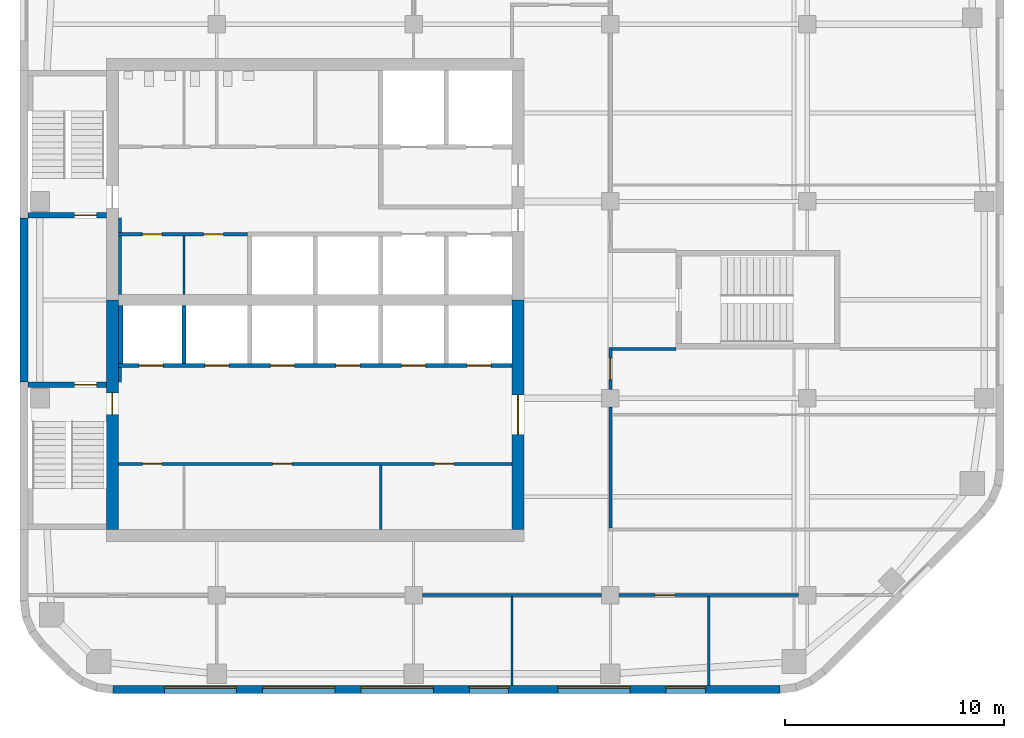
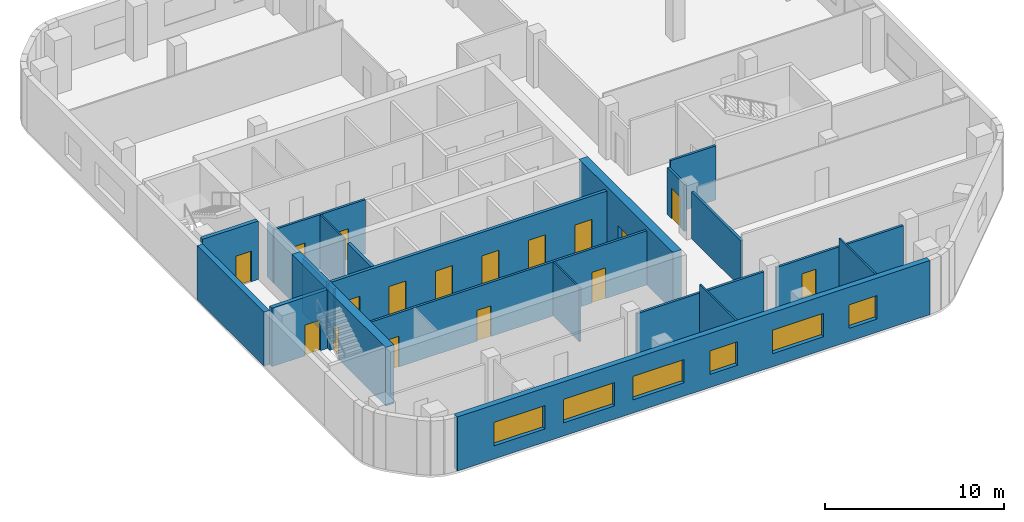
# One storey, part 3 of 8: 23 walls, 17 doors, 6 windows, 23 openings.
"""IFC4 building model written with IfcOpenShell, lengths in metres."""

from ifc_helpers import new_model, si_unit, direction, frame, frame_2d, origin, place, context, subcontext, project, spatial, rectangle, extrude, material, layer, layer_set, type_object, element, fill, save


model = new_model("IFC4")

# Units and contexts
model_context = context("Model", 3, precision=1e-05, world=origin(), true_north=direction((0.0, 1.0)))
body_context = subcontext(model_context, "Body", "Model", "MODEL_VIEW")
ifc_project = project(units=[si_unit("LENGTHUNIT", "METRE"), si_unit("AREAUNIT", "SQUARE_METRE"), si_unit("VOLUMEUNIT", "CUBIC_METRE"), si_unit("PLANEANGLEUNIT", "RADIAN"), si_unit("MASSUNIT", "GRAM", prefix="KILO")], contexts=[model_context])

# Site, building, storey
site_placement = place(None, origin())
site = spatial("IfcSite", under=ifc_project, at=site_placement, CompositionType="ELEMENT")
building_placement = place(site_placement, origin())
building = spatial("IfcBuilding", under=site, at=building_placement, Name="Cinnabar Reach Civic Tower", CompositionType="ELEMENT")
storey_placement = place(building_placement, frame((0.0, 0.0, 238.0)))
storey = spatial("IfcBuildingStorey", under=building, at=storey_placement, Name="L57", CompositionType="ELEMENT", Elevation=238.0)

# Wall, openings, windows
ifc_material_1 = material(Name="Facing brick with insulated backing", Category="masonry")
ifc_layer_1 = layer(ifc_material_1, 0.36)
ifc_layer_set_1 = layer_set([ifc_layer_1], Name="Brick pier and spandrel wall")
wall_type_1 = type_object("IfcWallType", Name="Brick pier and spandrel wall", PredefinedType="STANDARD", material=ifc_layer_set_1)
wall_1_placement = place(storey_placement, frame((4.2426, 13.68, 0.0), z_axis=(0.0, 0.0, 1.0), x_axis=(1.0, 0.0, 0.0)))
wall_1 = element("IfcWall", 1, at=wall_1_placement, inside=storey, type_object=wall_type_1, Name="Brick facade wall", PredefinedType="STANDARD", context=body_context, shape_type="SweptSolid", body=[
    extrude(rectangle(XDim=30.5148, YDim=0.36, at=frame_2d((15.2574, 0.0))), origin(), (0.0, 0.0, 1.0), 3.7),
])
opening_1_placement = place(wall_1_placement, frame((2.3574, 0.0, 0.9)))
opening_1 = element("IfcOpeningElement", 2, at=opening_1_placement, cuts=wall_1, Name="Opening W2160", PredefinedType="OPENING", context=body_context, shape_type="SweptSolid", body=[
    extrude(rectangle(XDim=3.3, YDim=1.6, at=frame_2d((1.65, 0.8))), frame((0.0, 0.19, 0.0), z_axis=(0.0, -1.0, 0.0), x_axis=(1.0, 0.0, 0.0)), (0.0, 0.0, 1.0), 0.38),
])
opening_2_placement = place(wall_1_placement, frame((6.8574, 0.0, 0.9)))
opening_2 = element("IfcOpeningElement", 3, at=opening_2_placement, cuts=wall_1, Name="Opening W2161", PredefinedType="OPENING", context=body_context, shape_type="SweptSolid", body=[
    extrude(rectangle(XDim=3.3, YDim=1.6, at=frame_2d((1.65, 0.8))), frame((0.0, 0.19, 0.0), z_axis=(0.0, -1.0, 0.0), x_axis=(1.0, 0.0, 0.0)), (0.0, 0.0, 1.0), 0.38),
])
opening_3_placement = place(wall_1_placement, frame((11.3574, 0.0, 0.9)))
opening_3 = element("IfcOpeningElement", 4, at=opening_3_placement, cuts=wall_1, Name="Opening W2162", PredefinedType="OPENING", context=body_context, shape_type="SweptSolid", body=[
    extrude(rectangle(XDim=3.3, YDim=1.6, at=frame_2d((1.65, 0.8))), frame((0.0, 0.19, 0.0), z_axis=(0.0, -1.0, 0.0), x_axis=(1.0, 0.0, 0.0)), (0.0, 0.0, 1.0), 0.38),
])
opening_4_placement = place(wall_1_placement, frame((16.3074, 0.0, 0.9)))
opening_4 = element("IfcOpeningElement", 5, at=opening_4_placement, cuts=wall_1, Name="Opening W2163", PredefinedType="OPENING", context=body_context, shape_type="SweptSolid", body=[
    extrude(rectangle(XDim=1.8, YDim=1.6, at=frame_2d((0.9, 0.8))), frame((0.0, 0.19, 0.0), z_axis=(0.0, -1.0, 0.0), x_axis=(1.0, 0.0, 0.0)), (0.0, 0.0, 1.0), 0.38),
])
opening_5_placement = place(wall_1_placement, frame((20.3574, 0.0, 0.9)))
opening_5 = element("IfcOpeningElement", 6, at=opening_5_placement, cuts=wall_1, Name="Opening W2164", PredefinedType="OPENING", context=body_context, shape_type="SweptSolid", body=[
    extrude(rectangle(XDim=3.3, YDim=1.6, at=frame_2d((1.65, 0.8))), frame((0.0, 0.19, 0.0), z_axis=(0.0, -1.0, 0.0), x_axis=(1.0, 0.0, 0.0)), (0.0, 0.0, 1.0), 0.38),
])
opening_6_placement = place(wall_1_placement, frame((25.3074, 0.0, 0.9)))
opening_6 = element("IfcOpeningElement", 7, at=opening_6_placement, cuts=wall_1, Name="Opening W2165", PredefinedType="OPENING", context=body_context, shape_type="SweptSolid", body=[
    extrude(rectangle(XDim=1.8, YDim=1.6, at=frame_2d((0.9, 0.8))), frame((0.0, 0.19, 0.0), z_axis=(0.0, -1.0, 0.0), x_axis=(1.0, 0.0, 0.0)), (0.0, 0.0, 1.0), 0.38),
])
ifc_material_2 = material(Name="Clear double glazing in aluminium frame", Category="aluminium")
window_type_1 = type_object("IfcWindowType", Name="Deep-set window A", PartitioningType="SINGLE_PANEL", PredefinedType="WINDOW", material=ifc_material_2)
window_1_placement = place(opening_1_placement, origin())
window_1 = element("IfcWindow", 8, at=window_1_placement, inside=storey, type_object=window_type_1, Name="Window south face", OverallHeight=1.6, OverallWidth=3.3, PartitioningType="SINGLE_PANEL", PredefinedType="WINDOW", context=body_context, shape_type="SweptSolid", body=[
    extrude(rectangle(XDim=3.3, YDim=1.6, at=frame_2d((1.65, 0.8))), frame((0.0, 0.13, 0.0), z_axis=(0.0, -1.0, 0.0), x_axis=(1.0, 0.0, 0.0)), (0.0, 0.0, 1.0), 0.06),
])
fill(opening_1, window_1)
window_2_placement = place(opening_2_placement, origin())
window_2 = element("IfcWindow", 9, at=window_2_placement, inside=storey, type_object=window_type_1, Name="Window south face", OverallHeight=1.6, OverallWidth=3.3, PartitioningType="SINGLE_PANEL", PredefinedType="WINDOW", context=body_context, shape_type="SweptSolid", body=[
    extrude(rectangle(XDim=3.3, YDim=1.6, at=frame_2d((1.65, 0.8))), frame((0.0, 0.13, 0.0), z_axis=(0.0, -1.0, 0.0), x_axis=(1.0, 0.0, 0.0)), (0.0, 0.0, 1.0), 0.06),
])
fill(opening_2, window_2)
window_3_placement = place(opening_3_placement, origin())
window_3 = element("IfcWindow", 10, at=window_3_placement, inside=storey, type_object=window_type_1, Name="Window south face", OverallHeight=1.6, OverallWidth=3.3, PartitioningType="SINGLE_PANEL", PredefinedType="WINDOW", context=body_context, shape_type="SweptSolid", body=[
    extrude(rectangle(XDim=3.3, YDim=1.6, at=frame_2d((1.65, 0.8))), frame((0.0, 0.13, 0.0), z_axis=(0.0, -1.0, 0.0), x_axis=(1.0, 0.0, 0.0)), (0.0, 0.0, 1.0), 0.06),
])
fill(opening_3, window_3)
window_4_placement = place(opening_5_placement, origin())
window_4 = element("IfcWindow", 11, at=window_4_placement, inside=storey, type_object=window_type_1, Name="Window south face", OverallHeight=1.6, OverallWidth=3.3, PartitioningType="SINGLE_PANEL", PredefinedType="WINDOW", context=body_context, shape_type="SweptSolid", body=[
    extrude(rectangle(XDim=3.3, YDim=1.6, at=frame_2d((1.65, 0.8))), frame((0.0, 0.13, 0.0), z_axis=(0.0, -1.0, 0.0), x_axis=(1.0, 0.0, 0.0)), (0.0, 0.0, 1.0), 0.06),
])
fill(opening_5, window_4)
window_type_2 = type_object("IfcWindowType", Name="Deep-set window D", PartitioningType="SINGLE_PANEL", PredefinedType="WINDOW", material=ifc_material_2)
window_5_placement = place(opening_4_placement, origin())
window_5 = element("IfcWindow", 12, at=window_5_placement, inside=storey, type_object=window_type_2, Name="Window south face", OverallHeight=1.6, OverallWidth=1.8, PartitioningType="SINGLE_PANEL", PredefinedType="WINDOW", context=body_context, shape_type="SweptSolid", body=[
    extrude(rectangle(XDim=1.8, YDim=1.6, at=frame_2d((0.9, 0.8))), frame((0.0, 0.13, 0.0), z_axis=(0.0, -1.0, 0.0), x_axis=(1.0, 0.0, 0.0)), (0.0, 0.0, 1.0), 0.06),
])
fill(opening_4, window_5)
window_6_placement = place(opening_6_placement, origin())
window_6 = element("IfcWindow", 13, at=window_6_placement, inside=storey, type_object=window_type_2, Name="Window south face", OverallHeight=1.6, OverallWidth=1.8, PartitioningType="SINGLE_PANEL", PredefinedType="WINDOW", context=body_context, shape_type="SweptSolid", body=[
    extrude(rectangle(XDim=1.8, YDim=1.6, at=frame_2d((0.9, 0.8))), frame((0.0, 0.13, 0.0), z_axis=(0.0, -1.0, 0.0), x_axis=(1.0, 0.0, 0.0)), (0.0, 0.0, 1.0), 0.06),
])
fill(opening_6, window_6)

# Wall
wall_2_placement = place(storey_placement, frame((0.18, 35.25, 0.0), z_axis=(0.0, 0.0, 1.0), x_axis=(0.0, -1.0, 0.0)))
element("IfcWall", 14, at=wall_2_placement, inside=storey, type_object=wall_type_1, Name="Brick facade wall", PredefinedType="STANDARD", context=body_context, shape_type="SweptSolid", body=[
    extrude(rectangle(XDim=7.5, YDim=0.36, at=frame_2d((3.75, 0.0))), origin(), (0.0, 0.0, 1.0), 3.7),
])

# Wall, opening, door
ifc_material_3 = material(Name="Concrete C60", Category="concrete")
ifc_layer_2 = layer(ifc_material_3, 0.55)
ifc_layer_set_2 = layer_set([ifc_layer_2], Name="Core wall 550 EI 180")
wall_type_2 = type_object("IfcWallType", Name="Core wall 550 EI 180", PredefinedType="SOLIDWALL", material=ifc_layer_set_2)
wall_3_placement = place(storey_placement, frame((22.775, 21.0, 0.0), z_axis=(0.0, 0.0, 1.0), x_axis=(0.0, 1.0, 0.0)))
wall_3 = element("IfcWall", 15, at=wall_3_placement, inside=storey, type_object=wall_type_2, Name="Core wall T1 L57 E", PredefinedType="SOLIDWALL", context=body_context, shape_type="SweptSolid", body=[
    extrude(rectangle(XDim=10.5, YDim=0.55, at=frame_2d((5.25, 0.0))), origin(), (0.0, 0.0, 1.0), 4.0),
])
opening_7_placement = place(wall_3_placement, frame((4.35, 0.0, 0.0)))
opening_7 = element("IfcOpeningElement", 16, at=opening_7_placement, cuts=wall_3, Name="Opening D5313", PredefinedType="OPENING", context=body_context, shape_type="SweptSolid", body=[
    extrude(rectangle(XDim=1.8, YDim=2.1, at=frame_2d((0.9, 1.05))), frame((0.0, 0.285, 0.0), z_axis=(0.0, -1.0, 0.0), x_axis=(1.0, 0.0, 0.0)), (0.0, 0.0, 1.0), 0.57),
])
ifc_material_4 = material(Name="Timber door leaf in steel frame", Category="steel")
door_type_1 = type_object("IfcDoorType", Name="Double swing door 1800 x 2100 T1", OperationType="DOUBLE_DOOR_DOUBLE_SWING", PredefinedType="DOOR", material=ifc_material_4)
door_1_placement = place(opening_7_placement, origin())
door_1 = element("IfcDoor", 17, at=door_1_placement, inside=storey, type_object=door_type_1, Name="Door D5313", OperationType="DOUBLE_DOOR_DOUBLE_SWING", OverallHeight=2.1, OverallWidth=1.8, PredefinedType="DOOR", context=body_context, shape_type="SweptSolid", body=[
    extrude(rectangle(XDim=1.8, YDim=2.1, at=frame_2d((0.9, 1.05))), frame((0.0, 0.025, 0.0), z_axis=(0.0, -1.0, 0.0), x_axis=(1.0, 0.0, 0.0)), (0.0, 0.0, 1.0), 0.05),
])
fill(opening_7, door_1)

wall_4_placement = place(storey_placement, frame((4.225, 31.5, 0.0), z_axis=(0.0, 0.0, 1.0), x_axis=(0.0, -1.0, 0.0)))
wall_4 = element("IfcWall", 18, at=wall_4_placement, inside=storey, type_object=wall_type_2, Name="Core wall T1 L57 W2", PredefinedType="SOLIDWALL", context=body_context, shape_type="SweptSolid", body=[
    extrude(rectangle(XDim=10.5, YDim=0.55, at=frame_2d((5.25, 0.0))), origin(), (0.0, 0.0, 1.0), 4.0),
])
opening_8_placement = place(wall_4_placement, frame((4.25, 0.0, 0.0)))
opening_8 = element("IfcOpeningElement", 19, at=opening_8_placement, cuts=wall_4, Name="Opening D5299", PredefinedType="OPENING", context=body_context, shape_type="SweptSolid", body=[
    extrude(rectangle(XDim=1.0, YDim=2.1, at=frame_2d((0.5, 1.05))), frame((0.0, 0.285, 0.0), z_axis=(0.0, -1.0, 0.0), x_axis=(1.0, 0.0, 0.0)), (0.0, 0.0, 1.0), 0.57),
])
door_type_2 = type_object("IfcDoorType", Name="Stair door 1000 x 2100 T1", OperationType="SINGLE_SWING_LEFT", PredefinedType="DOOR", material=ifc_material_4)
door_2_placement = place(opening_8_placement, frame((1.0, 0.0, 0.0), z_axis=(0.0, 0.0, 1.0), x_axis=(-1.0, 0.0, 0.0)))
door_2 = element("IfcDoor", 20, at=door_2_placement, inside=storey, type_object=door_type_2, Name="Door D5299", OperationType="SINGLE_SWING_RIGHT", OverallHeight=2.1, OverallWidth=1.0, PredefinedType="DOOR", context=body_context, shape_type="SweptSolid", body=[
    extrude(rectangle(XDim=1.0, YDim=2.1, at=frame_2d((0.5, 1.05))), frame((0.0, 0.025, 0.0), z_axis=(0.0, -1.0, 0.0), x_axis=(1.0, 0.0, 0.0)), (0.0, 0.0, 1.0), 0.05),
])
fill(opening_8, door_2)

ifc_material_5 = material(Name="Gypsum board on steel studs, double layer", Category="steel")
ifc_layer_3 = layer(ifc_material_5, 0.15)
ifc_layer_set_3 = layer_set([ifc_layer_3], Name="Corridor wall 150 T1")
wall_type_3 = type_object("IfcWallType", Name="Corridor wall 150 T1", PredefinedType="PARTITIONING", material=ifc_layer_set_3)
wall_5_placement = place(storey_placement, frame((27.4, 18.0, 0.0), z_axis=(0.0, 0.0, 1.0), x_axis=(1.0, 0.0, 0.0)))
wall_5 = element("IfcWall", 21, at=wall_5_placement, inside=storey, type_object=wall_type_3, Name="Corridor wall 19", PredefinedType="PARTITIONING", context=body_context, shape_type="SweptSolid", body=[
    extrude(rectangle(XDim=8.2, YDim=0.15, at=frame_2d((4.1, 0.0))), origin(), (0.0, 0.0, 1.0), 3.104),
])
opening_9_placement = place(wall_5_placement, frame((1.65, 0.0, 0.0)))
opening_9 = element("IfcOpeningElement", 22, at=opening_9_placement, cuts=wall_5, Name="Opening D5332", PredefinedType="OPENING", context=body_context, shape_type="SweptSolid", body=[
    extrude(rectangle(XDim=0.9, YDim=2.1, at=frame_2d((0.45, 1.05))), frame((0.0, 0.085, 0.0), z_axis=(0.0, -1.0, 0.0), x_axis=(1.0, 0.0, 0.0)), (0.0, 0.0, 1.0), 0.17),
])
door_type_3 = type_object("IfcDoorType", Name="Single swing door 900 x 2100 corridor T1", OperationType="SINGLE_SWING_LEFT", PredefinedType="DOOR", material=ifc_material_4)
door_3_placement = place(opening_9_placement, frame((0.9, 0.0, 0.0), z_axis=(0.0, 0.0, 1.0), x_axis=(-1.0, 0.0, 0.0)))
door_3 = element("IfcDoor", 23, at=door_3_placement, inside=storey, type_object=door_type_3, Name="Door D5332", OperationType="SINGLE_SWING_LEFT", OverallHeight=2.1, OverallWidth=0.9, PredefinedType="DOOR", context=body_context, shape_type="SweptSolid", body=[
    extrude(rectangle(XDim=0.9, YDim=2.1, at=frame_2d((0.45, 1.05))), frame((0.0, 0.025, 0.0), z_axis=(0.0, -1.0, 0.0), x_axis=(1.0, 0.0, 0.0)), (0.0, 0.0, 1.0), 0.05),
])
fill(opening_9, door_3)

# Wall
wall_6_placement = place(storey_placement, frame((18.4, 18.0, 0.0), z_axis=(0.0, 0.0, 1.0), x_axis=(1.0, 0.0, 0.0)))
element("IfcWall", 24, at=wall_6_placement, inside=storey, type_object=wall_type_3, Name="Corridor wall 20", PredefinedType="PARTITIONING", context=body_context, shape_type="SweptSolid", body=[
    extrude(rectangle(XDim=8.2, YDim=0.15, at=frame_2d((4.1, 0.0))), origin(), (0.0, 0.0, 1.0), 3.104),
])

# Wall, openings, doors
wall_7_placement = place(storey_placement, frame((4.5, 24.0, 0.0), z_axis=(0.0, 0.0, 1.0), x_axis=(1.0, 0.0, 0.0)))
wall_7 = element("IfcWall", 25, at=wall_7_placement, inside=storey, type_object=wall_type_3, Name="Corridor wall 23", PredefinedType="PARTITIONING", context=body_context, shape_type="SweptSolid", body=[
    extrude(rectangle(XDim=18.0, YDim=0.15, at=frame_2d((9.0, 0.0))), origin(), (0.0, 0.0, 1.0), 3.7),
])
opening_10_placement = place(wall_7_placement, frame((1.1, 0.0, 0.0)))
opening_10 = element("IfcOpeningElement", 26, at=opening_10_placement, cuts=wall_7, Name="Opening D5317", PredefinedType="OPENING", context=body_context, shape_type="SweptSolid", body=[
    extrude(rectangle(XDim=0.9, YDim=2.1, at=frame_2d((0.45, 1.05))), frame((0.0, 0.085, 0.0), z_axis=(0.0, -1.0, 0.0), x_axis=(1.0, 0.0, 0.0)), (0.0, 0.0, 1.0), 0.17),
])
opening_11_placement = place(wall_7_placement, frame((7.05, 0.0, 0.0)))
opening_11 = element("IfcOpeningElement", 27, at=opening_11_placement, cuts=wall_7, Name="Opening D5318", PredefinedType="OPENING", context=body_context, shape_type="SweptSolid", body=[
    extrude(rectangle(XDim=0.9, YDim=2.1, at=frame_2d((0.45, 1.05))), frame((0.0, 0.085, 0.0), z_axis=(0.0, -1.0, 0.0), x_axis=(1.0, 0.0, 0.0)), (0.0, 0.0, 1.0), 0.17),
])
opening_12_placement = place(wall_7_placement, frame((14.45, 0.0, 0.0)))
opening_12 = element("IfcOpeningElement", 28, at=opening_12_placement, cuts=wall_7, Name="Opening D5319", PredefinedType="OPENING", context=body_context, shape_type="SweptSolid", body=[
    extrude(rectangle(XDim=0.9, YDim=2.1, at=frame_2d((0.45, 1.05))), frame((0.0, 0.085, 0.0), z_axis=(0.0, -1.0, 0.0), x_axis=(1.0, 0.0, 0.0)), (0.0, 0.0, 1.0), 0.17),
])
door_4_placement = place(opening_10_placement, frame((0.9, 0.0, 0.0), z_axis=(0.0, 0.0, 1.0), x_axis=(-1.0, 0.0, 0.0)))
door_4 = element("IfcDoor", 29, at=door_4_placement, inside=storey, type_object=door_type_3, Name="Door D5317", OperationType="SINGLE_SWING_RIGHT", OverallHeight=2.1, OverallWidth=0.9, PredefinedType="DOOR", context=body_context, shape_type="SweptSolid", body=[
    extrude(rectangle(XDim=0.9, YDim=2.1, at=frame_2d((0.45, 1.05))), frame((0.0, 0.025, 0.0), z_axis=(0.0, -1.0, 0.0), x_axis=(1.0, 0.0, 0.0)), (0.0, 0.0, 1.0), 0.05),
])
fill(opening_10, door_4)
door_5_placement = place(opening_11_placement, frame((0.9, 0.0, 0.0), z_axis=(0.0, 0.0, 1.0), x_axis=(-1.0, 0.0, 0.0)))
door_5 = element("IfcDoor", 30, at=door_5_placement, inside=storey, type_object=door_type_3, Name="Door D5318", OperationType="SINGLE_SWING_RIGHT", OverallHeight=2.1, OverallWidth=0.9, PredefinedType="DOOR", context=body_context, shape_type="SweptSolid", body=[
    extrude(rectangle(XDim=0.9, YDim=2.1, at=frame_2d((0.45, 1.05))), frame((0.0, 0.025, 0.0), z_axis=(0.0, -1.0, 0.0), x_axis=(1.0, 0.0, 0.0)), (0.0, 0.0, 1.0), 0.05),
])
fill(opening_11, door_5)
door_6_placement = place(opening_12_placement, frame((0.9, 0.0, 0.0), z_axis=(0.0, 0.0, 1.0), x_axis=(-1.0, 0.0, 0.0)))
door_6 = element("IfcDoor", 31, at=door_6_placement, inside=storey, type_object=door_type_3, Name="Door D5319", OperationType="SINGLE_SWING_RIGHT", OverallHeight=2.1, OverallWidth=0.9, PredefinedType="DOOR", context=body_context, shape_type="SweptSolid", body=[
    extrude(rectangle(XDim=0.9, YDim=2.1, at=frame_2d((0.45, 1.05))), frame((0.0, 0.025, 0.0), z_axis=(0.0, -1.0, 0.0), x_axis=(1.0, 0.0, 0.0)), (0.0, 0.0, 1.0), 0.05),
])
fill(opening_12, door_6)

# Wall
wall_8_placement = place(storey_placement, frame((27.0, 21.075, 0.0), z_axis=(0.0, 0.0, 1.0), x_axis=(0.0, 1.0, 0.0)))
element("IfcWall", 32, at=wall_8_placement, inside=storey, type_object=wall_type_3, Name="Corridor wall 29", PredefinedType="PARTITIONING", context=body_context, shape_type="SweptSolid", body=[
    extrude(rectangle(XDim=5.525, YDim=0.15, at=frame_2d((2.7625, 0.0))), origin(), (0.0, 0.0, 1.0), 3.2),
])

# Wall, opening, door
wall_9_placement = place(storey_placement, frame((27.0, 27.4, 0.0), z_axis=(0.0, 0.0, 1.0), x_axis=(0.0, 1.0, 0.0)))
wall_9 = element("IfcWall", 33, at=wall_9_placement, inside=storey, type_object=wall_type_3, Name="Corridor wall 30", PredefinedType="PARTITIONING", context=body_context, shape_type="SweptSolid", body=[
    extrude(rectangle(XDim=1.925, YDim=0.15, at=frame_2d((0.9625, 0.0))), origin(), (0.0, 0.0, 1.0), 3.2),
])
opening_13_placement = place(wall_9_placement, frame((0.45, 0.0, 0.0)))
opening_13 = element("IfcOpeningElement", 34, at=opening_13_placement, cuts=wall_9, Name="Opening D5328", PredefinedType="OPENING", context=body_context, shape_type="SweptSolid", body=[
    extrude(rectangle(XDim=1.0, YDim=2.1, at=frame_2d((0.5, 1.05))), frame((0.0, 0.085, 0.0), z_axis=(0.0, -1.0, 0.0), x_axis=(1.0, 0.0, 0.0)), (0.0, 0.0, 1.0), 0.17),
])
door_type_4 = type_object("IfcDoorType", Name="Tenancy entrance door 1000 x 2100 T1", OperationType="SINGLE_SWING_LEFT", PredefinedType="DOOR", material=ifc_material_4)
door_7_placement = place(opening_13_placement, frame((1.0, 0.0, 0.0), z_axis=(0.0, 0.0, 1.0), x_axis=(-1.0, 0.0, 0.0)))
door_7 = element("IfcDoor", 35, at=door_7_placement, inside=storey, type_object=door_type_4, Name="Door D5328", OperationType="SINGLE_SWING_LEFT", OverallHeight=2.1, OverallWidth=1.0, PredefinedType="DOOR", context=body_context, shape_type="SweptSolid", body=[
    extrude(rectangle(XDim=1.0, YDim=2.1, at=frame_2d((0.5, 1.05))), frame((0.0, 0.025, 0.0), z_axis=(0.0, -1.0, 0.0), x_axis=(1.0, 0.0, 0.0)), (0.0, 0.0, 1.0), 0.05),
])
fill(opening_13, door_7)

# Wall, openings, doors
wall_10_placement = place(storey_placement, frame((4.5, 34.5, 0.0), z_axis=(0.0, 0.0, 1.0), x_axis=(1.0, 0.0, 0.0)))
wall_10 = element("IfcWall", 36, at=wall_10_placement, inside=storey, type_object=wall_type_3, Name="Corridor wall 31", PredefinedType="PARTITIONING", context=body_context, shape_type="SweptSolid", body=[
    extrude(rectangle(XDim=5.9, YDim=0.15, at=frame_2d((2.95, 0.0))), origin(), (0.0, 0.0, 1.0), 3.7),
])
opening_14_placement = place(wall_10_placement, frame((1.1, 0.0, 0.0)))
opening_14 = element("IfcOpeningElement", 37, at=opening_14_placement, cuts=wall_10, Name="Opening D5320", PredefinedType="OPENING", context=body_context, shape_type="SweptSolid", body=[
    extrude(rectangle(XDim=0.9, YDim=2.1, at=frame_2d((0.45, 1.05))), frame((0.0, 0.085, 0.0), z_axis=(0.0, -1.0, 0.0), x_axis=(1.0, 0.0, 0.0)), (0.0, 0.0, 1.0), 0.17),
])
opening_15_placement = place(wall_10_placement, frame((3.9, 0.0, 0.0)))
opening_15 = element("IfcOpeningElement", 38, at=opening_15_placement, cuts=wall_10, Name="Opening D5321", PredefinedType="OPENING", context=body_context, shape_type="SweptSolid", body=[
    extrude(rectangle(XDim=0.9, YDim=2.1, at=frame_2d((0.45, 1.05))), frame((0.0, 0.085, 0.0), z_axis=(0.0, -1.0, 0.0), x_axis=(1.0, 0.0, 0.0)), (0.0, 0.0, 1.0), 0.17),
])
door_8_placement = place(opening_14_placement, frame((0.9, 0.0, 0.0), z_axis=(0.0, 0.0, 1.0), x_axis=(-1.0, 0.0, 0.0)))
door_8 = element("IfcDoor", 39, at=door_8_placement, inside=storey, type_object=door_type_3, Name="Door D5320", OperationType="SINGLE_SWING_RIGHT", OverallHeight=2.1, OverallWidth=0.9, PredefinedType="DOOR", context=body_context, shape_type="SweptSolid", body=[
    extrude(rectangle(XDim=0.9, YDim=2.1, at=frame_2d((0.45, 1.05))), frame((0.0, 0.025, 0.0), z_axis=(0.0, -1.0, 0.0), x_axis=(1.0, 0.0, 0.0)), (0.0, 0.0, 1.0), 0.05),
])
fill(opening_14, door_8)
door_9_placement = place(opening_15_placement, frame((0.9, 0.0, 0.0), z_axis=(0.0, 0.0, 1.0), x_axis=(-1.0, 0.0, 0.0)))
door_9 = element("IfcDoor", 40, at=door_9_placement, inside=storey, type_object=door_type_3, Name="Door D5321", OperationType="SINGLE_SWING_RIGHT", OverallHeight=2.1, OverallWidth=0.9, PredefinedType="DOOR", context=body_context, shape_type="SweptSolid", body=[
    extrude(rectangle(XDim=0.9, YDim=2.1, at=frame_2d((0.45, 1.05))), frame((0.0, 0.025, 0.0), z_axis=(0.0, -1.0, 0.0), x_axis=(1.0, 0.0, 0.0)), (0.0, 0.0, 1.0), 0.05),
])
fill(opening_15, door_9)

# Walls
wall_11_placement = place(storey_placement, frame((4.575, 34.575, 0.0), z_axis=(0.0, 0.0, 1.0), x_axis=(0.0, 1.0, 0.0)))
element("IfcWall", 41, at=wall_11_placement, inside=storey, type_object=wall_type_3, Name="Corridor wall 33", PredefinedType="PARTITIONING", context=body_context, shape_type="SweptSolid", body=[
    extrude(rectangle(XDim=0.675, YDim=0.15, at=frame_2d((0.3375, 0.0))), origin(), (0.0, 0.0, 1.0), 3.7),
])
wall_12_placement = place(storey_placement, frame((4.575, 31.75, 0.0), z_axis=(0.0, 0.0, 1.0), x_axis=(0.0, 1.0, 0.0)))
element("IfcWall", 42, at=wall_12_placement, inside=storey, type_object=wall_type_3, Name="Corridor wall 34", PredefinedType="PARTITIONING", context=body_context, shape_type="SweptSolid", body=[
    extrude(rectangle(XDim=2.675, YDim=0.15, at=frame_2d((1.3375, 0.0))), origin(), (0.0, 0.0, 1.0), 3.7),
])
wall_13_placement = place(storey_placement, frame((27.075, 29.25, 0.0), z_axis=(0.0, 0.0, 1.0), x_axis=(1.0, 0.0, 0.0)))
element("IfcWall", 43, at=wall_13_placement, inside=storey, type_object=wall_type_3, Name="Corridor wall 35", PredefinedType="PARTITIONING", context=body_context, shape_type="SweptSolid", body=[
    extrude(rectangle(XDim=2.925, YDim=0.15, at=frame_2d((1.4625, 0.0))), origin(), (0.0, 0.0, 1.0), 3.7),
])
wall_14_placement = place(storey_placement, frame((4.575, 27.75, 0.0), z_axis=(0.0, 0.0, 1.0), x_axis=(0.0, 1.0, 0.0)))
element("IfcWall", 44, at=wall_14_placement, inside=storey, type_object=wall_type_3, Name="Corridor wall 38", PredefinedType="PARTITIONING", context=body_context, shape_type="SweptSolid", body=[
    extrude(rectangle(XDim=0.65, YDim=0.15, at=frame_2d((0.325, 0.0))), origin(), (0.0, 0.0, 1.0), 3.7),
])

# Wall, openings, doors
ifc_material_6 = material(Name="Blockwork", Category="masonry")
ifc_layer_4 = layer(ifc_material_6, 0.2)
ifc_layer_set_4 = layer_set([ifc_layer_4], Name="Lift shaft wall 200 T1")
wall_type_4 = type_object("IfcWallType", Name="Lift shaft wall 200 T1", PredefinedType="PARTITIONING", material=ifc_layer_set_4)
wall_15_placement = place(storey_placement, frame((4.5, 28.5, 0.0), z_axis=(0.0, 0.0, 1.0), x_axis=(1.0, 0.0, 0.0)))
wall_15 = element("IfcWall", 45, at=wall_15_placement, inside=storey, type_object=wall_type_4, Name="Lift shaft wall 4", PredefinedType="PARTITIONING", context=body_context, shape_type="SweptSolid", body=[
    extrude(rectangle(XDim=18.0, YDim=0.2, at=frame_2d((9.0, 0.0))), origin(), (0.0, 0.0, 1.0), 3.7),
])
opening_16_placement = place(wall_15_placement, frame((0.95, 0.0, 0.0)))
opening_16 = element("IfcOpeningElement", 46, at=opening_16_placement, cuts=wall_15, Name="Opening D5303", PredefinedType="OPENING", context=body_context, shape_type="SweptSolid", body=[
    extrude(rectangle(XDim=1.1, YDim=2.1, at=frame_2d((0.55, 1.05))), frame((0.0, 0.11, 0.0), z_axis=(0.0, -1.0, 0.0), x_axis=(1.0, 0.0, 0.0)), (0.0, 0.0, 1.0), 0.22),
])
opening_17_placement = place(wall_15_placement, frame((3.95, 0.0, 0.0)))
opening_17 = element("IfcOpeningElement", 47, at=opening_17_placement, cuts=wall_15, Name="Opening D5304", PredefinedType="OPENING", context=body_context, shape_type="SweptSolid", body=[
    extrude(rectangle(XDim=1.1, YDim=2.1, at=frame_2d((0.55, 1.05))), frame((0.0, 0.11, 0.0), z_axis=(0.0, -1.0, 0.0), x_axis=(1.0, 0.0, 0.0)), (0.0, 0.0, 1.0), 0.22),
])
opening_18_placement = place(wall_15_placement, frame((6.95, 0.0, 0.0)))
opening_18 = element("IfcOpeningElement", 48, at=opening_18_placement, cuts=wall_15, Name="Opening D5305", PredefinedType="OPENING", context=body_context, shape_type="SweptSolid", body=[
    extrude(rectangle(XDim=1.1, YDim=2.1, at=frame_2d((0.55, 1.05))), frame((0.0, 0.11, 0.0), z_axis=(0.0, -1.0, 0.0), x_axis=(1.0, 0.0, 0.0)), (0.0, 0.0, 1.0), 0.22),
])
opening_19_placement = place(wall_15_placement, frame((9.95, 0.0, 0.0)))
opening_19 = element("IfcOpeningElement", 49, at=opening_19_placement, cuts=wall_15, Name="Opening D5306", PredefinedType="OPENING", context=body_context, shape_type="SweptSolid", body=[
    extrude(rectangle(XDim=1.1, YDim=2.1, at=frame_2d((0.55, 1.05))), frame((0.0, 0.11, 0.0), z_axis=(0.0, -1.0, 0.0), x_axis=(1.0, 0.0, 0.0)), (0.0, 0.0, 1.0), 0.22),
])
opening_20_placement = place(wall_15_placement, frame((12.95, 0.0, 0.0)))
opening_20 = element("IfcOpeningElement", 50, at=opening_20_placement, cuts=wall_15, Name="Opening D5307", PredefinedType="OPENING", context=body_context, shape_type="SweptSolid", body=[
    extrude(rectangle(XDim=1.1, YDim=2.1, at=frame_2d((0.55, 1.05))), frame((0.0, 0.11, 0.0), z_axis=(0.0, -1.0, 0.0), x_axis=(1.0, 0.0, 0.0)), (0.0, 0.0, 1.0), 0.22),
])
opening_21_placement = place(wall_15_placement, frame((15.95, 0.0, 0.0)))
opening_21 = element("IfcOpeningElement", 51, at=opening_21_placement, cuts=wall_15, Name="Opening D5308", PredefinedType="OPENING", context=body_context, shape_type="SweptSolid", body=[
    extrude(rectangle(XDim=1.1, YDim=2.1, at=frame_2d((0.55, 1.05))), frame((0.0, 0.11, 0.0), z_axis=(0.0, -1.0, 0.0), x_axis=(1.0, 0.0, 0.0)), (0.0, 0.0, 1.0), 0.22),
])
ifc_material_7 = material(Name="Stainless steel sliding door", Category="steel")
door_type_5 = type_object("IfcDoorType", Name="Lift landing door 1100 x 2100 T1", OperationType="SLIDING_TO_LEFT", PredefinedType="DOOR", material=ifc_material_7)
door_10_placement = place(opening_16_placement, origin())
door_10 = element("IfcDoor", 52, at=door_10_placement, inside=storey, type_object=door_type_5, Name="Lift landing door HR1 L57", OperationType="SLIDING_TO_LEFT", OverallHeight=2.1, OverallWidth=1.1, PredefinedType="DOOR", context=body_context, shape_type="SweptSolid", body=[
    extrude(rectangle(XDim=1.1, YDim=2.1, at=frame_2d((0.55, 1.05))), frame((0.0, 0.025, 0.0), z_axis=(0.0, -1.0, 0.0), x_axis=(1.0, 0.0, 0.0)), (0.0, 0.0, 1.0), 0.05),
])
fill(opening_16, door_10)
door_11_placement = place(opening_17_placement, origin())
door_11 = element("IfcDoor", 53, at=door_11_placement, inside=storey, type_object=door_type_5, Name="Lift landing door HR2 L57", OperationType="SLIDING_TO_LEFT", OverallHeight=2.1, OverallWidth=1.1, PredefinedType="DOOR", context=body_context, shape_type="SweptSolid", body=[
    extrude(rectangle(XDim=1.1, YDim=2.1, at=frame_2d((0.55, 1.05))), frame((0.0, 0.025, 0.0), z_axis=(0.0, -1.0, 0.0), x_axis=(1.0, 0.0, 0.0)), (0.0, 0.0, 1.0), 0.05),
])
fill(opening_17, door_11)
door_12_placement = place(opening_18_placement, origin())
door_12 = element("IfcDoor", 54, at=door_12_placement, inside=storey, type_object=door_type_5, Name="Lift landing door HR3 L57", OperationType="SLIDING_TO_LEFT", OverallHeight=2.1, OverallWidth=1.1, PredefinedType="DOOR", context=body_context, shape_type="SweptSolid", body=[
    extrude(rectangle(XDim=1.1, YDim=2.1, at=frame_2d((0.55, 1.05))), frame((0.0, 0.025, 0.0), z_axis=(0.0, -1.0, 0.0), x_axis=(1.0, 0.0, 0.0)), (0.0, 0.0, 1.0), 0.05),
])
fill(opening_18, door_12)
door_13_placement = place(opening_19_placement, origin())
door_13 = element("IfcDoor", 55, at=door_13_placement, inside=storey, type_object=door_type_5, Name="Lift landing door HR4 L57", OperationType="SLIDING_TO_LEFT", OverallHeight=2.1, OverallWidth=1.1, PredefinedType="DOOR", context=body_context, shape_type="SweptSolid", body=[
    extrude(rectangle(XDim=1.1, YDim=2.1, at=frame_2d((0.55, 1.05))), frame((0.0, 0.025, 0.0), z_axis=(0.0, -1.0, 0.0), x_axis=(1.0, 0.0, 0.0)), (0.0, 0.0, 1.0), 0.05),
])
fill(opening_19, door_13)
door_14_placement = place(opening_20_placement, origin())
door_14 = element("IfcDoor", 56, at=door_14_placement, inside=storey, type_object=door_type_5, Name="Lift landing door HR5 L57", OperationType="SLIDING_TO_LEFT", OverallHeight=2.1, OverallWidth=1.1, PredefinedType="DOOR", context=body_context, shape_type="SweptSolid", body=[
    extrude(rectangle(XDim=1.1, YDim=2.1, at=frame_2d((0.55, 1.05))), frame((0.0, 0.025, 0.0), z_axis=(0.0, -1.0, 0.0), x_axis=(1.0, 0.0, 0.0)), (0.0, 0.0, 1.0), 0.05),
])
fill(opening_20, door_14)
door_15_placement = place(opening_21_placement, origin())
door_15 = element("IfcDoor", 57, at=door_15_placement, inside=storey, type_object=door_type_5, Name="Lift landing door HR6 L57", OperationType="SLIDING_TO_LEFT", OverallHeight=2.1, OverallWidth=1.1, PredefinedType="DOOR", context=body_context, shape_type="SweptSolid", body=[
    extrude(rectangle(XDim=1.1, YDim=2.1, at=frame_2d((0.55, 1.05))), frame((0.0, 0.025, 0.0), z_axis=(0.0, -1.0, 0.0), x_axis=(1.0, 0.0, 0.0)), (0.0, 0.0, 1.0), 0.05),
])
fill(opening_21, door_15)

# Walls
for number, where, z_axis, x_axis, name in (
    (58, (4.6, 28.6, 0.0), (0.0, 0.0, 1.0), (0.0, 1.0, 0.0), "Lift shaft wall 16"),
    (59, (7.5, 28.6, 0.0), (0.0, 0.0, 1.0), (0.0, 1.0, 0.0), "Lift shaft wall 17"),
):
    element("IfcWall", number, at=place(storey_placement, frame(where, z_axis=z_axis, x_axis=x_axis)), inside=storey, type_object=wall_type_4, Name=name, PredefinedType="PARTITIONING", context=body_context, shape_type="SweptSolid", body=[
        extrude(rectangle(XDim=2.65, YDim=0.2, at=frame_2d((1.325, 0.0))), origin(), (0.0, 0.0, 1.0), 3.7),
    ])
ifc_material_8 = material(Name="Gypsum board on steel studs", Category="steel")
ifc_layer_5 = layer(ifc_material_8, 0.1)
ifc_layer_set_5 = layer_set([ifc_layer_5], Name="Partition wall 100 T1")
wall_type_5 = type_object("IfcWallType", Name="Partition wall 100 T1", PredefinedType="PARTITIONING", material=ifc_layer_set_5)
for number, where, z_axis, x_axis, name in (
    (60, (22.5, 13.86, 0.0), (0.0, 0.0, 1.0), (0.0, 1.0, 0.0), "Partition wall 51"),
    (61, (31.5, 13.86, 0.0), (0.0, 0.0, 1.0), (0.0, 1.0, 0.0), "Partition wall 52"),
):
    element("IfcWall", number, at=place(storey_placement, frame(where, z_axis=z_axis, x_axis=x_axis)), inside=storey, type_object=wall_type_5, Name=name, PredefinedType="PARTITIONING", context=body_context, shape_type="SweptSolid", body=[
        extrude(rectangle(XDim=4.065, YDim=0.1, at=frame_2d((2.0325, 0.0))), origin(), (0.0, 0.0, 1.0), 3.7),
    ])
wall_16_placement = place(storey_placement, frame((7.5, 31.75, 0.0), z_axis=(0.0, 0.0, 1.0), x_axis=(0.0, 1.0, 0.0)))
element("IfcWall", 62, at=wall_16_placement, inside=storey, type_object=wall_type_5, Name="Partition wall 56", PredefinedType="PARTITIONING", context=body_context, shape_type="SweptSolid", body=[
    extrude(rectangle(XDim=2.675, YDim=0.1, at=frame_2d((1.3375, 0.0))), origin(), (0.0, 0.0, 1.0), 3.7),
])
wall_17_placement = place(storey_placement, frame((16.5, 21.0, 0.0), z_axis=(0.0, 0.0, 1.0), x_axis=(0.0, 1.0, 0.0)))
element("IfcWall", 63, at=wall_17_placement, inside=storey, type_object=wall_type_5, Name="Partition wall 57", PredefinedType="PARTITIONING", context=body_context, shape_type="SweptSolid", body=[
    extrude(rectangle(XDim=2.925, YDim=0.1, at=frame_2d((1.4625, 0.0))), origin(), (0.0, 0.0, 1.0), 3.7),
])

# Wall, opening, door
ifc_layer_6 = layer(ifc_material_3, 0.25)
ifc_layer_set_6 = layer_set([ifc_layer_6], Name="Stair shaft wall 250 EI 120")
wall_type_6 = type_object("IfcWallType", Name="Stair shaft wall 250 EI 120", PredefinedType="SOLIDWALL", material=ifc_layer_set_6)
wall_18_placement = place(storey_placement, frame((3.95, 27.625, 0.0), z_axis=(0.0, 0.0, 1.0), x_axis=(-1.0, 0.0, 0.0)))
wall_18 = element("IfcWall", 64, at=wall_18_placement, inside=storey, type_object=wall_type_6, Name="Stair shaft wall T1-S1 L57", PredefinedType="SOLIDWALL", context=body_context, shape_type="SweptSolid", body=[
    extrude(rectangle(XDim=3.59, YDim=0.25, at=frame_2d((1.795, 0.0))), origin(), (0.0, 0.0, 1.0), 4.0),
])
opening_22_placement = place(wall_18_placement, frame((0.45, 0.0, 0.0)))
opening_22 = element("IfcOpeningElement", 65, at=opening_22_placement, cuts=wall_18, Name="Opening D5300", PredefinedType="OPENING", context=body_context, shape_type="SweptSolid", body=[
    extrude(rectangle(XDim=1.0, YDim=2.1, at=frame_2d((0.5, 1.05))), frame((0.0, 0.135, 0.0), z_axis=(0.0, -1.0, 0.0), x_axis=(1.0, 0.0, 0.0)), (0.0, 0.0, 1.0), 0.27),
])
door_16_placement = place(opening_22_placement, origin())
door_16 = element("IfcDoor", 66, at=door_16_placement, inside=storey, type_object=door_type_2, Name="Door D5300", OperationType="SINGLE_SWING_LEFT", OverallHeight=2.1, OverallWidth=1.0, PredefinedType="DOOR", context=body_context, shape_type="SweptSolid", body=[
    extrude(rectangle(XDim=1.0, YDim=2.1, at=frame_2d((0.5, 1.05))), frame((0.0, 0.025, 0.0), z_axis=(0.0, -1.0, 0.0), x_axis=(1.0, 0.0, 0.0)), (0.0, 0.0, 1.0), 0.05),
])
fill(opening_22, door_16)

wall_19_placement = place(storey_placement, frame((0.36, 35.375, 0.0), z_axis=(0.0, 0.0, 1.0), x_axis=(1.0, 0.0, 0.0)))
wall_19 = element("IfcWall", 67, at=wall_19_placement, inside=storey, type_object=wall_type_6, Name="Stair shaft wall T1-S2 L57", PredefinedType="SOLIDWALL", context=body_context, shape_type="SweptSolid", body=[
    extrude(rectangle(XDim=3.59, YDim=0.25, at=frame_2d((1.795, 0.0))), origin(), (0.0, 0.0, 1.0), 4.0),
])
opening_23_placement = place(wall_19_placement, frame((2.14, 0.0, 0.0)))
opening_23 = element("IfcOpeningElement", 68, at=opening_23_placement, cuts=wall_19, Name="Opening D5302", PredefinedType="OPENING", context=body_context, shape_type="SweptSolid", body=[
    extrude(rectangle(XDim=1.0, YDim=2.1, at=frame_2d((0.5, 1.05))), frame((0.0, 0.135, 0.0), z_axis=(0.0, -1.0, 0.0), x_axis=(1.0, 0.0, 0.0)), (0.0, 0.0, 1.0), 0.27),
])
door_17_placement = place(opening_23_placement, origin())
door_17 = element("IfcDoor", 69, at=door_17_placement, inside=storey, type_object=door_type_2, Name="Door D5302", OperationType="SINGLE_SWING_RIGHT", OverallHeight=2.1, OverallWidth=1.0, PredefinedType="DOOR", context=body_context, shape_type="SweptSolid", body=[
    extrude(rectangle(XDim=1.0, YDim=2.1, at=frame_2d((0.5, 1.05))), frame((0.0, 0.025, 0.0), z_axis=(0.0, -1.0, 0.0), x_axis=(1.0, 0.0, 0.0)), (0.0, 0.0, 1.0), 0.05),
])
fill(opening_23, door_17)

save(model, "model.ifc")
